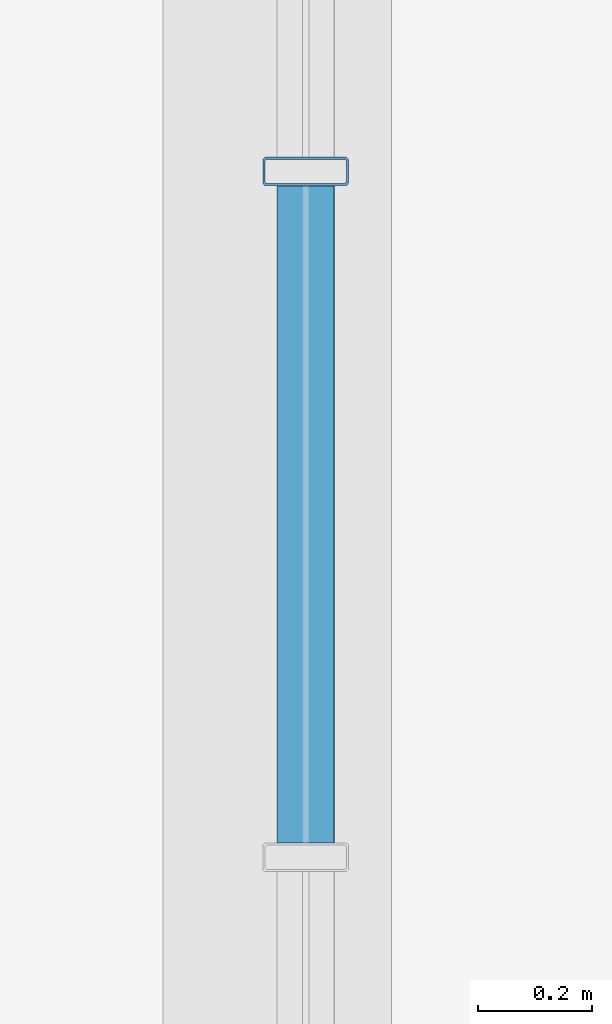
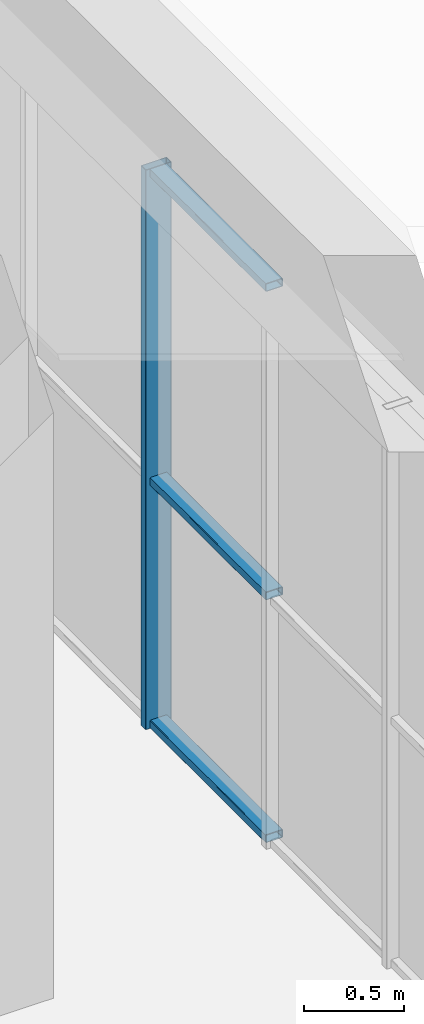
# One storey, part 27 of 92: 4 members, 1 element without a shape of its own.
"""IFC4 building model written with IfcOpenShell, lengths in metres."""

from ifc_helpers import new_model, si_unit, direction, frame, origin, origin_2d, place, context, subcontext, project, spatial, hollow_rectangle, extrude, material, material_profile, profile_set, type_object, element, aggregate, save


model = new_model("IFC4")

# Units and contexts
model_context = context("Model", 3, precision=1e-05, world=origin(), true_north=direction((0.0, 1.0)))
body_context = subcontext(model_context, "Body", "Model", "MODEL_VIEW")
ifc_project = project(units=[si_unit("LENGTHUNIT", "METRE"), si_unit("AREAUNIT", "SQUARE_METRE"), si_unit("VOLUMEUNIT", "CUBIC_METRE"), si_unit("PLANEANGLEUNIT", "RADIAN"), si_unit("MASSUNIT", "GRAM", prefix="KILO")], contexts=[model_context])

# Site, building, storey
site_placement = place(None, origin())
site = spatial("IfcSite", under=ifc_project, at=site_placement, CompositionType="ELEMENT")
building_placement = place(site_placement, origin())
building = spatial("IfcBuilding", under=site, at=building_placement, Name="Sun Court Science Centre", CompositionType="ELEMENT")
storey_placement = place(building_placement, frame((0.0, 0.0, 11.25)))
storey = spatial("IfcBuildingStorey", under=building, at=storey_placement, Name="L02", CompositionType="ELEMENT", Elevation=11.25)

# Curtain wall, members
ifc_material_1 = material(Name="Aluminium EN AW-6063 T6", Category="aluminium")
curtain_wall_type = type_object("IfcCurtainWallType", Name="Pavilion curtain wall 1200", PredefinedType="NOTDEFINED", material=ifc_material_1)
curtain_wall_placement = place(storey_placement, origin())
curtain_wall = element("IfcCurtainWall", 1, at=curtain_wall_placement, inside=storey, type_object=curtain_wall_type, Name="Curtain wall V5 E L02 01", PredefinedType="NOTDEFINED")
ifc_material_2 = material(Name="Aluminium EN AW-6063 T6", Category="aluminium")
ifc_material_profile_1 = material_profile(ifc_material_2, hollow_rectangle(XDim=0.050048828125, YDim=0.14990234375, WallThickness=0.00390625, InnerFilletRadius=0.00390625, OuterFilletRadius=0.006103515625, at=origin_2d()), Name="AL 50x150x4")
ifc_profile_set_1 = profile_set([ifc_material_profile_1], Name="Aluminium EN AW-6063 T6")
member_type_1 = type_object("IfcMemberType", Name="Curtain wall mullion AL 50x150", PredefinedType="MULLION", material=ifc_profile_set_1)
member_1_placement = place(storey_placement, frame((65.85009765625, 43.60009765625, 0.0), z_axis=(0.0, 0.0, 1.0), x_axis=(0.0, -1.0, 0.0)))
member_1 = element("IfcMember", 2, at=member_1_placement, type_object=member_type_1, Name="CW3-22 mullion 6", PredefinedType="MULLION", context=body_context, shape_type="SweptSolid", body=[
    extrude(hollow_rectangle(XDim=0.050048828125, YDim=0.14990234375, WallThickness=0.00390625, InnerFilletRadius=0.00390625, OuterFilletRadius=0.006103515625, at=origin_2d()), origin(), (0.0, 0.0, 1.0), 3.39990234375),
])
ifc_material_3 = material(Name="Aluminium EN AW-6063 T6", Category="aluminium")
ifc_material_profile_2 = material_profile(ifc_material_3, hollow_rectangle(XDim=0.050048828125, YDim=0.10009765625, WallThickness=0.00390625, InnerFilletRadius=0.00390625, OuterFilletRadius=0.006103515625, at=origin_2d()), Name="AL 50x100x4")
ifc_profile_set_2 = profile_set([ifc_material_profile_2], Name="Aluminium EN AW-6063 T6")
member_type_2 = type_object("IfcMemberType", Name="Curtain wall transom AL 50x100", PredefinedType="USERDEFINED", material=ifc_profile_set_2)
member_2_placement = place(storey_placement, frame((65.85009765625, 43.574951171875, 0.02490234375), z_axis=(0.0, -1.0, 0.0), x_axis=(0.0, 0.0, 1.0)))
member_2 = element("IfcMember", 3, at=member_2_placement, type_object=member_type_2, Name="CW3-22 transom 6.1", ObjectType="TRANSOM", PredefinedType="USERDEFINED", context=body_context, shape_type="SweptSolid", body=[
    extrude(hollow_rectangle(XDim=0.050048828125, YDim=0.10009765625, WallThickness=0.00390625, InnerFilletRadius=0.00390625, OuterFilletRadius=0.006103515625, at=origin_2d()), origin(), (0.0, 0.0, 1.0), 1.14990234375),
])
member_3_placement = place(storey_placement, frame((65.85009765625, 43.574951171875, 1.5), z_axis=(0.0, -1.0, 0.0), x_axis=(0.0, 0.0, 1.0)))
member_3 = element("IfcMember", 4, at=member_3_placement, type_object=member_type_2, Name="CW3-22 transom 6.2", ObjectType="TRANSOM", PredefinedType="USERDEFINED", context=body_context, shape_type="SweptSolid", body=[
    extrude(hollow_rectangle(XDim=0.050048828125, YDim=0.10009765625, WallThickness=0.00390625, InnerFilletRadius=0.00390625, OuterFilletRadius=0.006103515625, at=origin_2d()), origin(), (0.0, 0.0, 1.0), 1.14990234375),
])
member_4_placement = place(storey_placement, frame((65.85009765625, 43.574951171875, 3.375), z_axis=(0.0, -1.0, 0.0), x_axis=(0.0, 0.0, 1.0)))
member_4 = element("IfcMember", 5, at=member_4_placement, type_object=member_type_2, Name="CW3-22 transom 6.3", ObjectType="TRANSOM", PredefinedType="USERDEFINED", context=body_context, shape_type="SweptSolid", body=[
    extrude(hollow_rectangle(XDim=0.050048828125, YDim=0.10009765625, WallThickness=0.00390625, InnerFilletRadius=0.00390625, OuterFilletRadius=0.006103515625, at=origin_2d()), origin(), (0.0, 0.0, 1.0), 1.14990234375),
])
aggregate(curtain_wall, [member_1, member_2, member_3, member_4])

save(model, "model.ifc")
